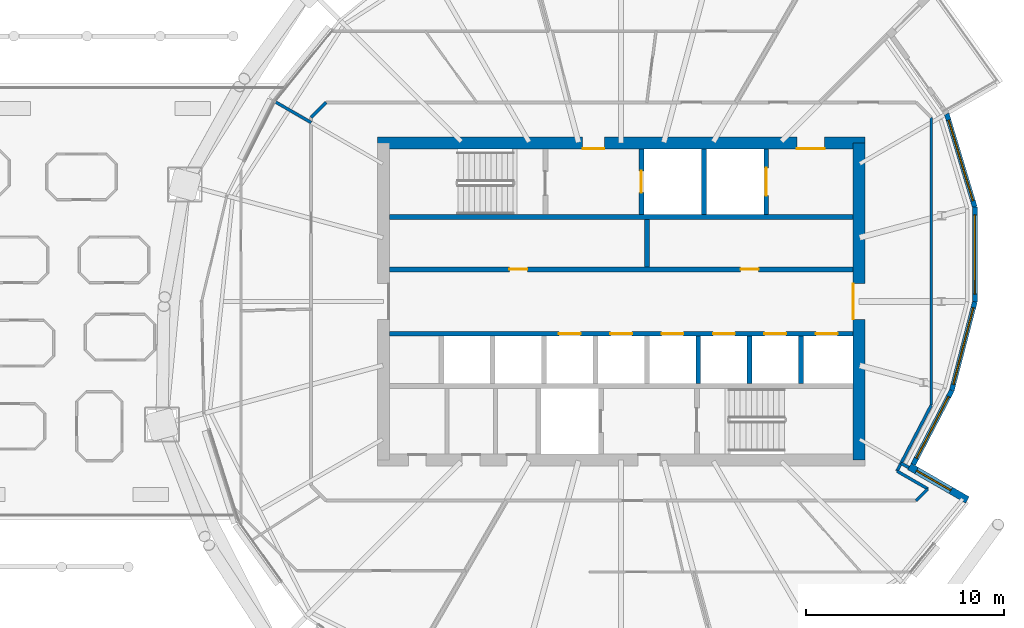
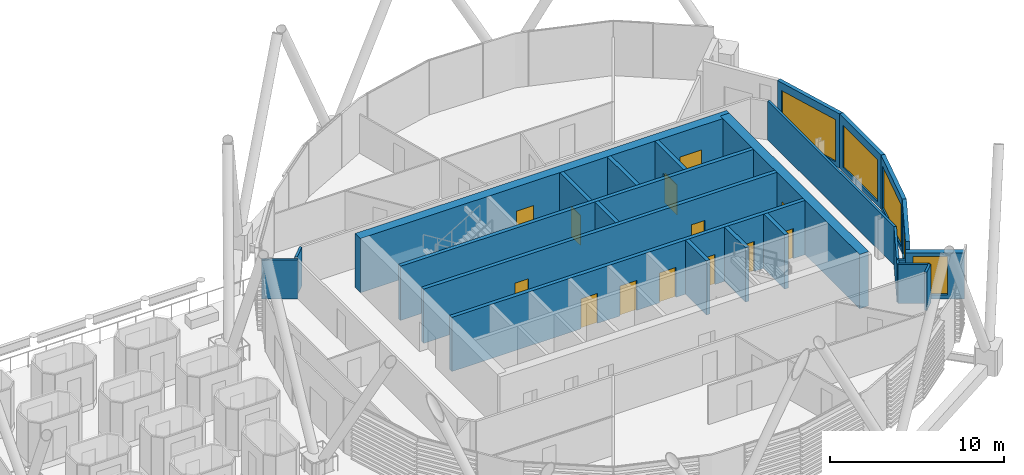
# One storey, part 28 of 38: 24 walls, 13 doors, 5 windows, 18 openings.
"""IFC4 building model written with IfcOpenShell, lengths in metres."""

from ifc_helpers import new_model, si_unit, direction, frame, frame_2d, origin, place, context, subcontext, project, spatial, rectangle, extrude, material, layer, layer_set, type_object, element, fill, save


model = new_model("IFC4")

# Units and contexts
model_context = context("Model", 3, precision=1e-05, world=origin(), true_north=direction((0.0, 1.0)))
body_context = subcontext(model_context, "Body", "Model", "MODEL_VIEW")
ifc_project = project(units=[si_unit("LENGTHUNIT", "METRE"), si_unit("AREAUNIT", "SQUARE_METRE"), si_unit("VOLUMEUNIT", "CUBIC_METRE"), si_unit("PLANEANGLEUNIT", "RADIAN"), si_unit("MASSUNIT", "GRAM", prefix="KILO")], contexts=[model_context])

# Site, building, storey
site_placement = place(None, origin())
site = spatial("IfcSite", under=ifc_project, at=site_placement, CompositionType="ELEMENT")
building_placement = place(site_placement, origin())
building = spatial("IfcBuilding", under=site, at=building_placement, Name="Rimbun Link Towers", CompositionType="ELEMENT")
storey_placement = place(building_placement, frame((0.0, 0.0, 158.89990234375)))
storey = spatial("IfcBuildingStorey", under=building, at=storey_placement, Name="L38", CompositionType="ELEMENT", Elevation=158.89990234375)

# Wall, opening, window
ifc_material_1 = material(Name="Dark enamelled glass spandrel on insulated aluminium backpan", Category="aluminium")
ifc_layer_1 = layer(ifc_material_1, 0.25)
ifc_layer_set_1 = layer_set([ifc_layer_1], Name="CS dark enamelled spandrel wall 250")
wall_type_1 = type_object("IfcWallType", Name="CS dark enamelled spandrel wall 250", PredefinedType="STANDARD", material=ifc_layer_set_1)
wall_1_placement = place(storey_placement, frame((48.44287109375, -4.486572265625, 0.0), z_axis=(0.0, 0.0, 1.0), x_axis=(-0.461704688685, -0.887033697469, 0.0)))
wall_1 = element("IfcWall", 1, at=wall_1_placement, inside=storey, type_object=wall_type_1, Name="Crease spandrel wall", PredefinedType="STANDARD", context=body_context, shape_type="SweptSolid", body=[
    extrude(rectangle(XDim=4.21484375, YDim=0.25, at=frame_2d((2.107421875, 0.0))), origin(), (0.0, 0.0, 1.0), 3.800048828125),
])
opening_1_placement = place(wall_1_placement, frame((0.357421875, 0.0, 0.300048828125)))
opening_1 = element("IfcOpeningElement", 2, at=opening_1_placement, cuts=wall_1, Name="Opening WR35H295", PredefinedType="OPENING", context=body_context, shape_type="SweptSolid", body=[
    extrude(rectangle(XDim=3.5, YDim=2.949951171875, at=frame_2d((1.75, 1.47509765625))), frame((0.0, 0.135009765625, 0.0), z_axis=(0.0, -1.0, 0.0), x_axis=(1.0, 0.0, 0.0)), (0.0, 0.0, 1.0), 0.27001953125),
])
ifc_material_2 = material(Name="Aluminium framed fixed window, dark tinted low-e glass", Category="aluminium")
window_type_1 = type_object("IfcWindowType", Name="WR ribbon window 3500X2950", PartitioningType="SINGLE_PANEL", PredefinedType="WINDOW", material=ifc_material_2)
window_1_placement = place(opening_1_placement, origin())
window_1 = element("IfcWindow", 3, at=window_1_placement, inside=storey, type_object=window_type_1, Name="Crease ribbon window", OverallHeight=2.949951171875, OverallWidth=3.5, PartitioningType="SINGLE_PANEL", PredefinedType="WINDOW", context=body_context, shape_type="SweptSolid", body=[
    extrude(rectangle(XDim=3.5, YDim=2.949951171875, at=frame_2d((1.75, 1.47509765625))), frame((0.0, 0.030029296875, 0.0), z_axis=(0.0, -1.0, 0.0), x_axis=(1.0, 0.0, 0.0)), (0.0, 0.0, 1.0), 0.06005859375),
])
fill(opening_1, window_1)

wall_2_placement = place(storey_placement, frame((49.607177734375, -0.015869140625, 0.0), z_axis=(0.0, 0.0, 1.0), x_axis=(-0.252023891892, -0.967721012439, 0.0)))
wall_2 = element("IfcWall", 4, at=wall_2_placement, inside=storey, type_object=wall_type_1, Name="Crease spandrel wall", PredefinedType="STANDARD", context=body_context, shape_type="SweptSolid", body=[
    extrude(rectangle(XDim=4.619873046875, YDim=0.25, at=frame_2d((2.31005859375, 0.0))), origin(), (0.0, 0.0, 1.0), 3.800048828125),
])
opening_2_placement = place(wall_2_placement, frame((0.309814453125, 0.0, 0.300048828125)))
opening_2 = element("IfcOpeningElement", 5, at=opening_2_placement, cuts=wall_2, Name="Opening WR40H295", PredefinedType="OPENING", context=body_context, shape_type="SweptSolid", body=[
    extrude(rectangle(XDim=4.0, YDim=2.949951171875, at=frame_2d((2.0, 1.47509765625))), frame((0.0, 0.135009765625, 0.0), z_axis=(0.0, -1.0, 0.0), x_axis=(1.0, 0.0, 0.0)), (0.0, 0.0, 1.0), 0.27001953125),
])
ifc_material_3 = material(Name="Aluminium framed fixed window, dark tinted low-e glass", Category="aluminium")
window_type_2 = type_object("IfcWindowType", Name="WR ribbon window 4000X2950", PartitioningType="SINGLE_PANEL", PredefinedType="WINDOW", material=ifc_material_3)
window_2_placement = place(opening_2_placement, origin())
window_2 = element("IfcWindow", 6, at=window_2_placement, inside=storey, type_object=window_type_2, Name="Crease ribbon window", OverallHeight=2.949951171875, OverallWidth=4.0, PartitioningType="SINGLE_PANEL", PredefinedType="WINDOW", context=body_context, shape_type="SweptSolid", body=[
    extrude(rectangle(XDim=4.0, YDim=2.949951171875, at=frame_2d((2.0, 1.47509765625))), frame((0.0, 0.030029296875, 0.0), z_axis=(0.0, -1.0, 0.0), x_axis=(1.0, 0.0, 0.0)), (0.0, 0.0, 1.0), 0.06005859375),
])
fill(opening_2, window_2)

wall_3_placement = place(storey_placement, frame((49.6044921875, 4.76904296875, 0.0), z_axis=(0.0, 0.0, 1.0), x_axis=(0.000561253037, -0.999999842498, 0.0)))
wall_3 = element("IfcWall", 7, at=wall_3_placement, inside=storey, type_object=wall_type_1, Name="Crease spandrel wall", PredefinedType="STANDARD", context=body_context, shape_type="SweptSolid", body=[
    extrude(rectangle(XDim=4.784912109375, YDim=0.25, at=frame_2d((2.392578125, 0.0))), origin(), (0.0, 0.0, 1.0), 3.800048828125),
])
opening_3_placement = place(wall_3_placement, frame((0.392578125, 0.0, 0.300048828125)))
opening_3 = element("IfcOpeningElement", 8, at=opening_3_placement, cuts=wall_3, Name="Opening WR40H295", PredefinedType="OPENING", context=body_context, shape_type="SweptSolid", body=[
    extrude(rectangle(XDim=4.0, YDim=2.949951171875, at=frame_2d((2.0, 1.47509765625))), frame((0.0, 0.135009765625, 0.0), z_axis=(0.0, -1.0, 0.0), x_axis=(1.0, 0.0, 0.0)), (0.0, 0.0, 1.0), 0.27001953125),
])
window_3_placement = place(opening_3_placement, origin())
window_3 = element("IfcWindow", 9, at=window_3_placement, inside=storey, type_object=window_type_2, Name="Crease ribbon window", OverallHeight=2.949951171875, OverallWidth=4.0, PartitioningType="SINGLE_PANEL", PredefinedType="WINDOW", context=body_context, shape_type="SweptSolid", body=[
    extrude(rectangle(XDim=4.0, YDim=2.949951171875, at=frame_2d((2.0, 1.47509765625))), frame((0.0, 0.030029296875, 0.0), z_axis=(0.0, -1.0, 0.0), x_axis=(1.0, 0.0, 0.0)), (0.0, 0.0, 1.0), 0.06005859375),
])
fill(opening_3, window_3)

wall_4_placement = place(storey_placement, frame((48.18603515625, 9.479248046875, 0.0), z_axis=(0.0, 0.0, 1.0), x_axis=(0.288353999534, -0.957523874873, 0.0)))
wall_4 = element("IfcWall", 10, at=wall_4_placement, inside=storey, type_object=wall_type_1, Name="Crease spandrel wall", PredefinedType="STANDARD", context=body_context, shape_type="SweptSolid", body=[
    extrude(rectangle(XDim=4.919189453125, YDim=0.25, at=frame_2d((2.45947265625, 0.0))), origin(), (0.0, 0.0, 1.0), 3.800048828125),
])
opening_4_placement = place(wall_4_placement, frame((0.33447265625, 0.0, 0.300048828125)))
opening_4 = element("IfcOpeningElement", 11, at=opening_4_placement, cuts=wall_4, Name="Opening WR42H295", PredefinedType="OPENING", context=body_context, shape_type="SweptSolid", body=[
    extrude(rectangle(XDim=4.25, YDim=2.949951171875, at=frame_2d((2.125, 1.47509765625))), frame((0.0, 0.135009765625, 0.0), z_axis=(0.0, -1.0, 0.0), x_axis=(1.0, 0.0, 0.0)), (0.0, 0.0, 1.0), 0.27001953125),
])
ifc_material_4 = material(Name="Aluminium framed fixed window, dark tinted low-e glass", Category="aluminium")
window_type_3 = type_object("IfcWindowType", Name="WR ribbon window 4250X2950", PartitioningType="SINGLE_PANEL", PredefinedType="WINDOW", material=ifc_material_4)
window_4_placement = place(opening_4_placement, origin())
window_4 = element("IfcWindow", 12, at=window_4_placement, inside=storey, type_object=window_type_3, Name="Crease ribbon window", OverallHeight=2.949951171875, OverallWidth=4.25, PartitioningType="SINGLE_PANEL", PredefinedType="WINDOW", context=body_context, shape_type="SweptSolid", body=[
    extrude(rectangle(XDim=4.25, YDim=2.949951171875, at=frame_2d((2.125, 1.47509765625))), frame((0.0, 0.030029296875, 0.0), z_axis=(0.0, -1.0, 0.0), x_axis=(1.0, 0.0, 0.0)), (0.0, 0.0, 1.0), 0.06005859375),
])
fill(opening_4, window_4)

ifc_material_5 = material(Name="Dark enamelled glass spandrel on insulated aluminium backpan", Category="aluminium")
ifc_layer_2 = layer(ifc_material_5, 0.3701171875)
ifc_layer_set_2 = layer_set([ifc_layer_2], Name="CS dark enamelled spandrel wall 370")
wall_type_2 = type_object("IfcWallType", Name="CS dark enamelled spandrel wall 370", PredefinedType="STANDARD", material=ifc_layer_set_2)
wall_5_placement = place(storey_placement, frame((46.305419921875, -8.32861328125, 0.0), z_axis=(0.0, 0.0, 1.0), x_axis=(0.866038843867, -0.499976720371, 0.0)))
wall_5 = element("IfcWall", 13, at=wall_5_placement, inside=storey, type_object=wall_type_2, Name="Crease spandrel wall", PredefinedType="STANDARD", context=body_context, shape_type="SweptSolid", body=[
    extrude(rectangle(XDim=3.380126953125, YDim=0.3701171875, at=frame_2d((1.68994140625, 0.0))), origin(), (0.0, 0.0, 1.0), 3.233642578125),
])
opening_5_placement = place(wall_5_placement, frame((0.41455078125, 0.0, 0.300048828125)))
opening_5 = element("IfcOpeningElement", 14, at=opening_5_placement, cuts=wall_5, Name="Opening WR20H270", PredefinedType="OPENING", context=body_context, shape_type="SweptSolid", body=[
    extrude(rectangle(XDim=2.0, YDim=2.699951171875, at=frame_2d((1.0, 1.35009765625))), frame((0.0, 0.195068359375, 0.0), z_axis=(0.0, -1.0, 0.0), x_axis=(1.0, 0.0, 0.0)), (0.0, 0.0, 1.0), 0.39013671875),
])
ifc_material_6 = material(Name="Aluminium framed fixed window, dark tinted low-e glass", Category="aluminium")
window_type_4 = type_object("IfcWindowType", Name="WR ribbon window 2000X2700", PartitioningType="SINGLE_PANEL", PredefinedType="WINDOW", material=ifc_material_6)
window_5_placement = place(opening_5_placement, origin())
window_5 = element("IfcWindow", 15, at=window_5_placement, inside=storey, type_object=window_type_4, Name="Crease ribbon window", OverallHeight=2.699951171875, OverallWidth=2.0, PartitioningType="SINGLE_PANEL", PredefinedType="WINDOW", context=body_context, shape_type="SweptSolid", body=[
    extrude(rectangle(XDim=2.0, YDim=2.699951171875, at=frame_2d((1.0, 1.35009765625))), frame((0.0, 0.030029296875, 0.0), z_axis=(0.0, -1.0, 0.0), x_axis=(1.0, 0.0, 0.0)), (0.0, 0.0, 1.0), 0.06005859375),
])
fill(opening_5, window_5)

# Wall, openings, doors
ifc_material_7 = material(Name="Concrete C60/75", Category="concrete")
ifc_layer_3 = layer(ifc_material_7, 0.60009765625)
ifc_layer_set_3 = layer_set([ifc_layer_3], Name="Core shear wall 600")
wall_type_3 = type_object("IfcWallType", Name="Core shear wall 600", PredefinedType="SHEAR", material=ifc_layer_set_3)
wall_6_placement = place(storey_placement, frame((19.449951171875, 8.0, 0.0), z_axis=(0.0, 0.0, 1.0), x_axis=(1.0, 0.0, 0.0)))
wall_6 = element("IfcWall", 16, at=wall_6_placement, inside=storey, type_object=wall_type_3, Name="L38 T2 core wall N", PredefinedType="SHEAR", context=body_context, shape_type="SweptSolid", body=[
    extrude(rectangle(XDim=24.60009765625, YDim=0.60009765625, at=frame_2d((12.300048828125, 0.0))), origin(), (0.0, 0.0, 1.0), 3.800048828125),
])
opening_6_placement = place(wall_6_placement, frame((10.35009765625, 0.0, 0.0)))
opening_6 = element("IfcOpeningElement", 17, at=opening_6_placement, cuts=wall_6, Name="Opening C2DCF01N", PredefinedType="OPENING", context=body_context, shape_type="SweptSolid", body=[
    extrude(rectangle(XDim=1.10009765625, YDim=2.10009765625, at=frame_2d((0.550048828125, 1.050048828125))), frame((0.0, 0.31005859375, 0.0), z_axis=(0.0, -1.0, 0.0), x_axis=(1.0, 0.0, 0.0)), (0.0, 0.0, 1.0), 0.6201171875),
])
opening_7_placement = place(wall_6_placement, frame((21.175048828125, 0.0, 0.0)))
opening_7 = element("IfcOpeningElement", 18, at=opening_7_placement, cuts=wall_6, Name="Opening C2DSL02N", PredefinedType="OPENING", context=body_context, shape_type="SweptSolid", body=[
    extrude(rectangle(XDim=1.39990234375, YDim=2.10009765625, at=frame_2d((0.699951171875, 1.050048828125))), frame((0.0, 0.31005859375, 0.0), z_axis=(0.0, -1.0, 0.0), x_axis=(1.0, 0.0, 0.0)), (0.0, 0.0, 1.0), 0.6201171875),
])
ifc_material_8 = material(Name="Steel fire door set", Category="steel")
door_type_1 = type_object("IfcDoorType", Name="Core fire door single", OperationType="SINGLE_SWING_LEFT", PredefinedType="DOOR", material=ifc_material_8)
door_1_placement = place(opening_6_placement, origin())
door_1 = element("IfcDoor", 19, at=door_1_placement, inside=storey, type_object=door_type_1, Name="L38 T2 firefighting lobby n door", OperationType="SINGLE_SWING_LEFT", OverallHeight=2.10009765625, OverallWidth=1.10009765625, PredefinedType="DOOR", context=body_context, shape_type="SweptSolid", body=[
    extrude(rectangle(XDim=1.10009765625, YDim=2.10009765625, at=frame_2d((0.550048828125, 1.050048828125))), frame((0.0, -0.25, 0.0), z_axis=(0.0, -1.0, 0.0), x_axis=(1.0, 0.0, 0.0)), (0.0, 0.0, 1.0), 0.050048828125),
])
fill(opening_6, door_1)
ifc_material_9 = material(Name="Steel fire door set", Category="steel")
door_type_2 = type_object("IfcDoorType", Name="Service lobby door double", OperationType="DOUBLE_DOOR_SINGLE_SWING", PredefinedType="DOOR", material=ifc_material_9)
door_2_placement = place(opening_7_placement, origin())
door_2 = element("IfcDoor", 20, at=door_2_placement, inside=storey, type_object=door_type_2, Name="L38 T2 service lobby door", OperationType="DOUBLE_DOOR_SINGLE_SWING", OverallHeight=2.10009765625, OverallWidth=1.39990234375, PredefinedType="DOOR", context=body_context, shape_type="SweptSolid", body=[
    extrude(rectangle(XDim=1.39990234375, YDim=2.10009765625, at=frame_2d((0.699951171875, 1.050048828125))), frame((0.0, -0.25, 0.0), z_axis=(0.0, -1.0, 0.0), x_axis=(1.0, 0.0, 0.0)), (0.0, 0.0, 1.0), 0.050048828125),
])
fill(opening_7, door_2)

# Wall, opening, door
wall_7_placement = place(storey_placement, frame((43.75, -8.0, 0.0), z_axis=(0.0, 0.0, 1.0), x_axis=(0.0, 1.0, 0.0)))
wall_7 = element("IfcWall", 21, at=wall_7_placement, inside=storey, type_object=wall_type_3, Name="L38 T2 core wall E", PredefinedType="SHEAR", context=body_context, shape_type="SweptSolid", body=[
    extrude(rectangle(XDim=16.0, YDim=0.60009765625, at=frame_2d((8.0, 0.0))), origin(), (0.0, 0.0, 1.0), 3.800048828125),
])
opening_8_placement = place(wall_7_placement, frame((7.10009765625, 0.0, 0.0)))
opening_8 = element("IfcOpeningElement", 22, at=opening_8_placement, cuts=wall_7, Name="Opening C2DCL01E", PredefinedType="OPENING", context=body_context, shape_type="SweptSolid", body=[
    extrude(rectangle(XDim=1.800048828125, YDim=2.10009765625, at=frame_2d((0.89990234375, 1.050048828125))), frame((0.0, 0.31005859375, 0.0), z_axis=(0.0, -1.0, 0.0), x_axis=(1.0, 0.0, 0.0)), (0.0, 0.0, 1.0), 0.6201171875),
])
ifc_material_10 = material(Name="Steel fire door set", Category="steel")
door_type_3 = type_object("IfcDoorType", Name="Core lobby door double", OperationType="DOUBLE_DOOR_SINGLE_SWING", PredefinedType="DOOR", material=ifc_material_10)
door_3_placement = place(opening_8_placement, origin())
door_3 = element("IfcDoor", 23, at=door_3_placement, inside=storey, type_object=door_type_3, Name="L38 T2 lift lobby door", OperationType="DOUBLE_DOOR_SINGLE_SWING", OverallHeight=2.10009765625, OverallWidth=1.800048828125, PredefinedType="DOOR", context=body_context, shape_type="SweptSolid", body=[
    extrude(rectangle(XDim=1.800048828125, YDim=2.10009765625, at=frame_2d((0.89990234375, 1.050048828125))), frame((0.0, 0.2998046875, 0.0), z_axis=(0.0, -1.0, 0.0), x_axis=(1.0, 0.0, 0.0)), (0.0, 0.0, 1.0), 0.050048828125),
])
fill(opening_8, door_3)

# Walls
ifc_material_11 = material(Name="Plasterboard on steel stud, mineral wool", Category="steel")
ifc_layer_4 = layer(ifc_material_11, 0.14990234375)
ifc_layer_set_4 = layer_set([ifc_layer_4], Name="Corridor wall EI 30 150 mm")
wall_type_4 = type_object("IfcWallType", Name="Corridor wall EI 30 150 mm", PredefinedType="PARTITIONING", material=ifc_layer_set_4)
wall_8_placement = place(storey_placement, frame((47.405029296875, -5.235107421875, 0.0), z_axis=(0.0, 0.0, 1.0), x_axis=(0.0, 1.0, 0.0)))
element("IfcWall", 24, at=wall_8_placement, inside=storey, type_object=wall_type_4, Name="Corridor wall EI 30 150 mm", PredefinedType="PARTITIONING", context=body_context, shape_type="SweptSolid", body=[
    extrude(rectangle(XDim=14.52880859375, YDim=0.14990234375, at=frame_2d((7.264404296875, 0.0))), origin(), (0.0, 0.0, 1.0), 2.712158203125),
])
wall_9_placement = place(storey_placement, frame((45.6748046875, -8.55908203125, 0.0), z_axis=(0.0, 0.0, 1.0), x_axis=(0.461721937832, 0.887024719004, 0.0)))
element("IfcWall", 25, at=wall_9_placement, inside=storey, type_object=wall_type_4, Name="Corridor wall EI 30 150 mm", PredefinedType="PARTITIONING", context=body_context, shape_type="SweptSolid", body=[
    extrude(rectangle(XDim=3.747314453125, YDim=0.14990234375, at=frame_2d((1.87353515625, 0.0))), origin(), (0.0, 0.0, 1.0), 2.712158203125),
])
wall_10_placement = place(storey_placement, frame((47.2373046875, -9.461181640625, 0.0), z_axis=(0.0, 0.0, 1.0), x_axis=(-0.866027848477, 0.499995765644, 0.0)))
element("IfcWall", 26, at=wall_10_placement, inside=storey, type_object=wall_type_4, Name="Corridor wall EI 30 150 mm", PredefinedType="PARTITIONING", context=body_context, shape_type="SweptSolid", body=[
    extrude(rectangle(XDim=1.80419921875, YDim=0.14990234375, at=frame_2d((0.902099609375, 0.0))), origin(), (0.0, 0.0, 1.0), 2.712158203125),
])
wall_11_placement = place(storey_placement, frame((46.643798828125, -10.054931640625, 0.0), z_axis=(0.0, 0.0, 1.0), x_axis=(0.706961360773, 0.707252171699, 0.0)))
element("IfcWall", 27, at=wall_11_placement, inside=storey, type_object=wall_type_4, Name="Corridor wall EI 30 150 mm", PredefinedType="PARTITIONING", context=body_context, shape_type="SweptSolid", body=[
    extrude(rectangle(XDim=0.839599609375, YDim=0.14990234375, at=frame_2d((0.419921875, 0.0))), origin(), (0.0, 0.0, 1.0), 2.712158203125),
])
wall_12_placement = place(storey_placement, frame((16.856201171875, 10.054931640625, 0.0), z_axis=(0.0, 0.0, 1.0), x_axis=(-0.707106781187, -0.707106781187, 0.0)))
element("IfcWall", 28, at=wall_12_placement, inside=storey, type_object=wall_type_4, Name="Corridor wall EI 30 150 mm", PredefinedType="PARTITIONING", context=body_context, shape_type="SweptSolid", body=[
    extrude(rectangle(XDim=1.07666015625, YDim=0.14990234375, at=frame_2d((0.538330078125, 0.0))), origin(), (0.0, 0.0, 1.0), 2.712158203125),
])
ifc_material_12 = material(Name="Concrete C60/75", Category="concrete")
ifc_layer_5 = layer(ifc_material_12, 0.25)
ifc_layer_set_5 = layer_set([ifc_layer_5], Name="Shaft wall 250")
wall_type_5 = type_object("IfcWallType", Name="Shaft wall 250", PredefinedType="SHEAR", material=ifc_layer_set_5)
wall_13_placement = place(storey_placement, frame((20.050048828125, 4.27490234375, 0.0), z_axis=(0.0, 0.0, 1.0), x_axis=(1.0, 0.0, 0.0)))
element("IfcWall", 29, at=wall_13_placement, inside=storey, type_object=wall_type_5, Name="L38 T2 core wall BN", PredefinedType="SHEAR", context=body_context, shape_type="SweptSolid", body=[
    extrude(rectangle(XDim=23.39990234375, YDim=0.25, at=frame_2d((11.699951171875, 0.0))), origin(), (0.0, 0.0, 1.0), 3.800048828125),
])

# Wall, openings, doors
wall_14_placement = place(storey_placement, frame((20.050048828125, 1.625, 0.0), z_axis=(0.0, 0.0, 1.0), x_axis=(1.0, 0.0, 0.0)))
wall_14 = element("IfcWall", 30, at=wall_14_placement, inside=storey, type_object=wall_type_5, Name="L38 T2 core wall FN", PredefinedType="SHEAR", context=body_context, shape_type="SweptSolid", body=[
    extrude(rectangle(XDim=23.39990234375, YDim=0.25, at=frame_2d((11.699951171875, 0.0))), origin(), (0.0, 0.0, 1.0), 3.800048828125),
])
opening_9_placement = place(wall_14_placement, frame((6.06103515625, 0.0, 0.0)))
opening_9 = element("IfcOpeningElement", 31, at=opening_9_placement, cuts=wall_14, Name="Opening C2DRS01FN", PredefinedType="OPENING", context=body_context, shape_type="SweptSolid", body=[
    extrude(rectangle(XDim=0.89990234375, YDim=2.10009765625, at=frame_2d((0.449951171875, 1.050048828125))), frame((0.0, 0.135009765625, 0.0), z_axis=(0.0, -1.0, 0.0), x_axis=(1.0, 0.0, 0.0)), (0.0, 0.0, 1.0), 0.27001953125),
])
opening_10_placement = place(wall_14_placement, frame((17.736083984375, 0.0, 0.0)))
opening_10 = element("IfcOpeningElement", 32, at=opening_10_placement, cuts=wall_14, Name="Opening C2DRS02FN", PredefinedType="OPENING", context=body_context, shape_type="SweptSolid", body=[
    extrude(rectangle(XDim=0.89990234375, YDim=2.10009765625, at=frame_2d((0.449951171875, 1.050048828125))), frame((0.0, 0.135009765625, 0.0), z_axis=(0.0, -1.0, 0.0), x_axis=(1.0, 0.0, 0.0)), (0.0, 0.0, 1.0), 0.27001953125),
])
ifc_material_13 = material(Name="Steel fire door set", Category="steel")
door_type_4 = type_object("IfcDoorType", Name="Core riser door", OperationType="SINGLE_SWING_LEFT", PredefinedType="DOOR", material=ifc_material_13)
door_4_placement = place(opening_9_placement, origin())
door_4 = element("IfcDoor", 33, at=door_4_placement, inside=storey, type_object=door_type_4, Name="L38 T2 data room door", OperationType="SINGLE_SWING_LEFT", OverallHeight=2.10009765625, OverallWidth=0.89990234375, PredefinedType="DOOR", context=body_context, shape_type="SweptSolid", body=[
    extrude(rectangle(XDim=0.89990234375, YDim=2.10009765625, at=frame_2d((0.449951171875, 1.050048828125))), frame((0.0, 0.02490234375, 0.0), z_axis=(0.0, -1.0, 0.0), x_axis=(1.0, 0.0, 0.0)), (0.0, 0.0, 1.0), 0.050048828125),
])
fill(opening_9, door_4)
door_5_placement = place(opening_10_placement, origin())
door_5 = element("IfcDoor", 34, at=door_5_placement, inside=storey, type_object=door_type_4, Name="L38 T2 meeting room door", OperationType="SINGLE_SWING_RIGHT", OverallHeight=2.10009765625, OverallWidth=0.89990234375, PredefinedType="DOOR", context=body_context, shape_type="SweptSolid", body=[
    extrude(rectangle(XDim=0.89990234375, YDim=2.10009765625, at=frame_2d((0.449951171875, 1.050048828125))), frame((0.0, 0.02490234375, 0.0), z_axis=(0.0, -1.0, 0.0), x_axis=(1.0, 0.0, 0.0)), (0.0, 0.0, 1.0), 0.050048828125),
])
fill(opening_10, door_5)

wall_15_placement = place(storey_placement, frame((20.050048828125, -1.625, 0.0), z_axis=(0.0, 0.0, 1.0), x_axis=(1.0, 0.0, 0.0)))
wall_15 = element("IfcWall", 35, at=wall_15_placement, inside=storey, type_object=wall_type_5, Name="L38 T2 core wall FS", PredefinedType="SHEAR", context=body_context, shape_type="SweptSolid", body=[
    extrude(rectangle(XDim=23.39990234375, YDim=0.25, at=frame_2d((11.699951171875, 0.0))), origin(), (0.0, 0.0, 1.0), 3.800048828125),
])
opening_11_placement = place(wall_15_placement, frame((8.5556640625, 0.0, 0.0)))
opening_11 = element("IfcOpeningElement", 36, at=opening_11_placement, cuts=wall_15, Name="Opening LD-T2-HR1", PredefinedType="OPENING", context=body_context, shape_type="SweptSolid", body=[
    extrude(rectangle(XDim=1.10009765625, YDim=2.10009765625, at=frame_2d((0.550048828125, 1.050048828125))), frame((0.0, 0.135009765625, 0.0), z_axis=(0.0, -1.0, 0.0), x_axis=(1.0, 0.0, 0.0)), (0.0, 0.0, 1.0), 0.27001953125),
])
opening_12_placement = place(wall_15_placement, frame((11.14990234375, 0.0, 0.0)))
opening_12 = element("IfcOpeningElement", 37, at=opening_12_placement, cuts=wall_15, Name="Opening LD-T2-HR2", PredefinedType="OPENING", context=body_context, shape_type="SweptSolid", body=[
    extrude(rectangle(XDim=1.10009765625, YDim=2.10009765625, at=frame_2d((0.550048828125, 1.050048828125))), frame((0.0, 0.135009765625, 0.0), z_axis=(0.0, -1.0, 0.0), x_axis=(1.0, 0.0, 0.0)), (0.0, 0.0, 1.0), 0.27001953125),
])
opening_13_placement = place(wall_15_placement, frame((13.744384765625, 0.0, 0.0)))
opening_13 = element("IfcOpeningElement", 38, at=opening_13_placement, cuts=wall_15, Name="Opening LD-T2-HR3", PredefinedType="OPENING", context=body_context, shape_type="SweptSolid", body=[
    extrude(rectangle(XDim=1.10009765625, YDim=2.10009765625, at=frame_2d((0.550048828125, 1.050048828125))), frame((0.0, 0.135009765625, 0.0), z_axis=(0.0, -1.0, 0.0), x_axis=(1.0, 0.0, 0.0)), (0.0, 0.0, 1.0), 0.27001953125),
])
opening_14_placement = place(wall_15_placement, frame((16.3388671875, 0.0, 0.0)))
opening_14 = element("IfcOpeningElement", 39, at=opening_14_placement, cuts=wall_15, Name="Opening LD-T2-HR4", PredefinedType="OPENING", context=body_context, shape_type="SweptSolid", body=[
    extrude(rectangle(XDim=1.10009765625, YDim=2.10009765625, at=frame_2d((0.550048828125, 1.050048828125))), frame((0.0, 0.135009765625, 0.0), z_axis=(0.0, -1.0, 0.0), x_axis=(1.0, 0.0, 0.0)), (0.0, 0.0, 1.0), 0.27001953125),
])
opening_15_placement = place(wall_15_placement, frame((18.933349609375, 0.0, 0.0)))
opening_15 = element("IfcOpeningElement", 40, at=opening_15_placement, cuts=wall_15, Name="Opening LD-T2-HR5", PredefinedType="OPENING", context=body_context, shape_type="SweptSolid", body=[
    extrude(rectangle(XDim=1.10009765625, YDim=2.10009765625, at=frame_2d((0.550048828125, 1.050048828125))), frame((0.0, 0.135009765625, 0.0), z_axis=(0.0, -1.0, 0.0), x_axis=(1.0, 0.0, 0.0)), (0.0, 0.0, 1.0), 0.27001953125),
])
opening_16_placement = place(wall_15_placement, frame((21.52783203125, 0.0, 0.0)))
opening_16 = element("IfcOpeningElement", 41, at=opening_16_placement, cuts=wall_15, Name="Opening LD-T2-HR6", PredefinedType="OPENING", context=body_context, shape_type="SweptSolid", body=[
    extrude(rectangle(XDim=1.10009765625, YDim=2.10009765625, at=frame_2d((0.550048828125, 1.050048828125))), frame((0.0, 0.135009765625, 0.0), z_axis=(0.0, -1.0, 0.0), x_axis=(1.0, 0.0, 0.0)), (0.0, 0.0, 1.0), 0.27001953125),
])
ifc_material_14 = material(Name="Stainless steel grade 316", Category="steel")
door_type_5 = type_object("IfcDoorType", Name="Lift landing door", OperationType="DOUBLE_DOOR_SLIDING", PredefinedType="DOOR", material=ifc_material_14)
door_6_placement = place(opening_11_placement, origin())
door_6 = element("IfcDoor", 42, at=door_6_placement, inside=storey, type_object=door_type_5, Name="L38 T2 lift HR1 landing door", OperationType="DOUBLE_DOOR_SLIDING", OverallHeight=2.10009765625, OverallWidth=1.10009765625, PredefinedType="DOOR", context=body_context, shape_type="SweptSolid", body=[
    extrude(rectangle(XDim=1.10009765625, YDim=2.10009765625, at=frame_2d((0.550048828125, 1.050048828125))), frame((0.0, 0.02490234375, 0.0), z_axis=(0.0, -1.0, 0.0), x_axis=(1.0, 0.0, 0.0)), (0.0, 0.0, 1.0), 0.050048828125),
])
fill(opening_11, door_6)
door_7_placement = place(opening_12_placement, origin())
door_7 = element("IfcDoor", 43, at=door_7_placement, inside=storey, type_object=door_type_5, Name="L38 T2 lift HR2 landing door", OperationType="DOUBLE_DOOR_SLIDING", OverallHeight=2.10009765625, OverallWidth=1.10009765625, PredefinedType="DOOR", context=body_context, shape_type="SweptSolid", body=[
    extrude(rectangle(XDim=1.10009765625, YDim=2.10009765625, at=frame_2d((0.550048828125, 1.050048828125))), frame((0.0, 0.02490234375, 0.0), z_axis=(0.0, -1.0, 0.0), x_axis=(1.0, 0.0, 0.0)), (0.0, 0.0, 1.0), 0.050048828125),
])
fill(opening_12, door_7)
door_8_placement = place(opening_13_placement, origin())
door_8 = element("IfcDoor", 44, at=door_8_placement, inside=storey, type_object=door_type_5, Name="L38 T2 lift HR3 landing door", OperationType="DOUBLE_DOOR_SLIDING", OverallHeight=2.10009765625, OverallWidth=1.10009765625, PredefinedType="DOOR", context=body_context, shape_type="SweptSolid", body=[
    extrude(rectangle(XDim=1.10009765625, YDim=2.10009765625, at=frame_2d((0.550048828125, 1.050048828125))), frame((0.0, 0.02490234375, 0.0), z_axis=(0.0, -1.0, 0.0), x_axis=(1.0, 0.0, 0.0)), (0.0, 0.0, 1.0), 0.050048828125),
])
fill(opening_13, door_8)
door_9_placement = place(opening_14_placement, origin())
door_9 = element("IfcDoor", 45, at=door_9_placement, inside=storey, type_object=door_type_5, Name="L38 T2 lift HR4 landing door", OperationType="DOUBLE_DOOR_SLIDING", OverallHeight=2.10009765625, OverallWidth=1.10009765625, PredefinedType="DOOR", context=body_context, shape_type="SweptSolid", body=[
    extrude(rectangle(XDim=1.10009765625, YDim=2.10009765625, at=frame_2d((0.550048828125, 1.050048828125))), frame((0.0, 0.02490234375, 0.0), z_axis=(0.0, -1.0, 0.0), x_axis=(1.0, 0.0, 0.0)), (0.0, 0.0, 1.0), 0.050048828125),
])
fill(opening_14, door_9)
door_10_placement = place(opening_15_placement, origin())
door_10 = element("IfcDoor", 46, at=door_10_placement, inside=storey, type_object=door_type_5, Name="L38 T2 lift HR5 landing door", OperationType="DOUBLE_DOOR_SLIDING", OverallHeight=2.10009765625, OverallWidth=1.10009765625, PredefinedType="DOOR", context=body_context, shape_type="SweptSolid", body=[
    extrude(rectangle(XDim=1.10009765625, YDim=2.10009765625, at=frame_2d((0.550048828125, 1.050048828125))), frame((0.0, 0.02490234375, 0.0), z_axis=(0.0, -1.0, 0.0), x_axis=(1.0, 0.0, 0.0)), (0.0, 0.0, 1.0), 0.050048828125),
])
fill(opening_15, door_10)
door_11_placement = place(opening_16_placement, origin())
door_11 = element("IfcDoor", 47, at=door_11_placement, inside=storey, type_object=door_type_5, Name="L38 T2 lift HR6 landing door", OperationType="DOUBLE_DOOR_SLIDING", OverallHeight=2.10009765625, OverallWidth=1.10009765625, PredefinedType="DOOR", context=body_context, shape_type="SweptSolid", body=[
    extrude(rectangle(XDim=1.10009765625, YDim=2.10009765625, at=frame_2d((0.550048828125, 1.050048828125))), frame((0.0, 0.02490234375, 0.0), z_axis=(0.0, -1.0, 0.0), x_axis=(1.0, 0.0, 0.0)), (0.0, 0.0, 1.0), 0.050048828125),
])
fill(opening_16, door_11)

# Walls
for number, where, z_axis, x_axis, name in (
    (48, (33.047119140625, 1.75, 0.0), (0.0, 0.0, 1.0), (0.0, 1.0, 0.0), "L38 T2 core wall DN4"),
    (49, (35.6416015625, -4.14990234375, 0.0), (0.0, 0.0, 1.0), (0.0, 1.0, 0.0), "L38 T2 core wall DS5"),
    (50, (38.236083984375, -4.14990234375, 0.0), (0.0, 0.0, 1.0), (0.0, 1.0, 0.0), "L38 T2 core wall DS6"),
    (51, (40.83056640625, -4.14990234375, 0.0), (0.0, 0.0, 1.0), (0.0, 1.0, 0.0), "L38 T2 core wall DS7"),
):
    element("IfcWall", number, at=place(storey_placement, frame(where, z_axis=z_axis, x_axis=x_axis)), inside=storey, type_object=wall_type_5, Name=name, PredefinedType="SHEAR", context=body_context, shape_type="SweptSolid", body=[
        extrude(rectangle(XDim=2.39990234375, YDim=0.25, at=frame_2d((1.199951171875, 0.0))), origin(), (0.0, 0.0, 1.0), 3.800048828125),
    ])

# Wall, opening, door
wall_16_placement = place(storey_placement, frame((32.77490234375, 4.39990234375, 0.0), z_axis=(0.0, 0.0, 1.0), x_axis=(0.0, 1.0, 0.0)))
wall_16 = element("IfcWall", 52, at=wall_16_placement, inside=storey, type_object=wall_type_5, Name="L38 T2 core wall A2", PredefinedType="SHEAR", context=body_context, shape_type="SweptSolid", body=[
    extrude(rectangle(XDim=3.300048828125, YDim=0.25, at=frame_2d((1.64990234375, 0.0))), origin(), (0.0, 0.0, 1.0), 3.800048828125),
])
opening_17_placement = place(wall_16_placement, frame((1.10009765625, 0.0, 0.0)))
opening_17 = element("IfcOpeningElement", 53, at=opening_17_placement, cuts=wall_16, Name="Opening LD-T2-FF1", PredefinedType="OPENING", context=body_context, shape_type="SweptSolid", body=[
    extrude(rectangle(XDim=1.10009765625, YDim=2.10009765625, at=frame_2d((0.550048828125, 1.050048828125))), frame((0.0, 0.135009765625, 0.0), z_axis=(0.0, -1.0, 0.0), x_axis=(1.0, 0.0, 0.0)), (0.0, 0.0, 1.0), 0.27001953125),
])
door_12_placement = place(opening_17_placement, origin())
door_12 = element("IfcDoor", 54, at=door_12_placement, inside=storey, type_object=door_type_5, Name="L38 T2 lift FF1 landing door", OperationType="DOUBLE_DOOR_SLIDING", OverallHeight=2.10009765625, OverallWidth=1.10009765625, PredefinedType="DOOR", context=body_context, shape_type="SweptSolid", body=[
    extrude(rectangle(XDim=1.10009765625, YDim=2.10009765625, at=frame_2d((0.550048828125, 1.050048828125))), frame((0.0, 0.02490234375, 0.0), z_axis=(0.0, -1.0, 0.0), x_axis=(1.0, 0.0, 0.0)), (0.0, 0.0, 1.0), 0.050048828125),
])
fill(opening_17, door_12)

# Wall
wall_17_placement = place(storey_placement, frame((35.925048828125, 4.39990234375, 0.0), z_axis=(0.0, 0.0, 1.0), x_axis=(0.0, 1.0, 0.0)))
element("IfcWall", 55, at=wall_17_placement, inside=storey, type_object=wall_type_5, Name="L38 T2 core wall A3", PredefinedType="SHEAR", context=body_context, shape_type="SweptSolid", body=[
    extrude(rectangle(XDim=3.300048828125, YDim=0.25, at=frame_2d((1.64990234375, 0.0))), origin(), (0.0, 0.0, 1.0), 3.800048828125),
])

# Wall, opening, door
wall_18_placement = place(storey_placement, frame((39.074951171875, 4.39990234375, 0.0), z_axis=(0.0, 0.0, 1.0), x_axis=(0.0, 1.0, 0.0)))
wall_18 = element("IfcWall", 56, at=wall_18_placement, inside=storey, type_object=wall_type_5, Name="L38 T2 core wall A4", PredefinedType="SHEAR", context=body_context, shape_type="SweptSolid", body=[
    extrude(rectangle(XDim=3.300048828125, YDim=0.25, at=frame_2d((1.64990234375, 0.0))), origin(), (0.0, 0.0, 1.0), 3.800048828125),
])
opening_18_placement = place(wall_18_placement, frame((0.949951171875, 0.0, 0.0)))
opening_18 = element("IfcOpeningElement", 57, at=opening_18_placement, cuts=wall_18, Name="Opening LD-T2-GL1", PredefinedType="OPENING", context=body_context, shape_type="SweptSolid", body=[
    extrude(rectangle(XDim=1.39990234375, YDim=2.10009765625, at=frame_2d((0.699951171875, 1.050048828125))), frame((0.0, 0.135009765625, 0.0), z_axis=(0.0, -1.0, 0.0), x_axis=(1.0, 0.0, 0.0)), (0.0, 0.0, 1.0), 0.27001953125),
])
ifc_material_15 = material(Name="Stainless steel grade 316", Category="steel")
door_type_6 = type_object("IfcDoorType", Name="Goods lift landing door", OperationType="DOUBLE_DOOR_SLIDING", PredefinedType="DOOR", material=ifc_material_15)
door_13_placement = place(opening_18_placement, origin())
door_13 = element("IfcDoor", 58, at=door_13_placement, inside=storey, type_object=door_type_6, Name="L38 T2 lift GL1 landing door", OperationType="DOUBLE_DOOR_SLIDING", OverallHeight=2.10009765625, OverallWidth=1.39990234375, PredefinedType="DOOR", context=body_context, shape_type="SweptSolid", body=[
    extrude(rectangle(XDim=1.39990234375, YDim=2.10009765625, at=frame_2d((0.699951171875, 1.050048828125))), frame((0.0, 0.02490234375, 0.0), z_axis=(0.0, -1.0, 0.0), x_axis=(1.0, 0.0, 0.0)), (0.0, 0.0, 1.0), 0.050048828125),
])
fill(opening_18, door_13)

# Walls
ifc_material_16 = material(Name="Plasterboard on steel stud, mineral wool", Category="steel")
ifc_layer_6 = layer(ifc_material_16, 0.14990234375)
ifc_layer_set_6 = layer_set([ifc_layer_6], Name="Tenancy separation wall EI 60 150 mm")
wall_type_6 = type_object("IfcWallType", Name="Tenancy separation wall EI 60 150 mm", PredefinedType="PARTITIONING", material=ifc_layer_set_6)
wall_19_placement = place(storey_placement, frame((16.094970703125, 9.038330078125, 0.0), z_axis=(0.0, 0.0, 1.0), x_axis=(-0.866008785421, 0.500028782745, 0.0)))
element("IfcWall", 59, at=wall_19_placement, inside=storey, type_object=wall_type_6, Name="Tenancy separation wall EI 60 150 mm", PredefinedType="PARTITIONING", context=body_context, shape_type="SweptSolid", body=[
    extrude(rectangle(XDim=2.0927734375, YDim=0.14990234375, at=frame_2d((1.04638671875, 0.0))), origin(), (0.0, 0.0, 1.0), 2.712158203125),
])
wall_20_placement = place(storey_placement, frame((45.8828125, -8.15966796875, 0.0), z_axis=(0.0, 0.0, 1.0), x_axis=(0.866167537795, -0.499753735824, 0.0)))
element("IfcWall", 60, at=wall_20_placement, inside=storey, type_object=wall_type_6, Name="Tenancy separation wall EI 60 150 mm", PredefinedType="PARTITIONING", context=body_context, shape_type="SweptSolid", body=[
    extrude(rectangle(XDim=0.450439453125, YDim=0.14990234375, at=frame_2d((0.22509765625, 0.0))), origin(), (0.0, 0.0, 1.0), 2.712158203125),
])

save(model, "model.ifc")
